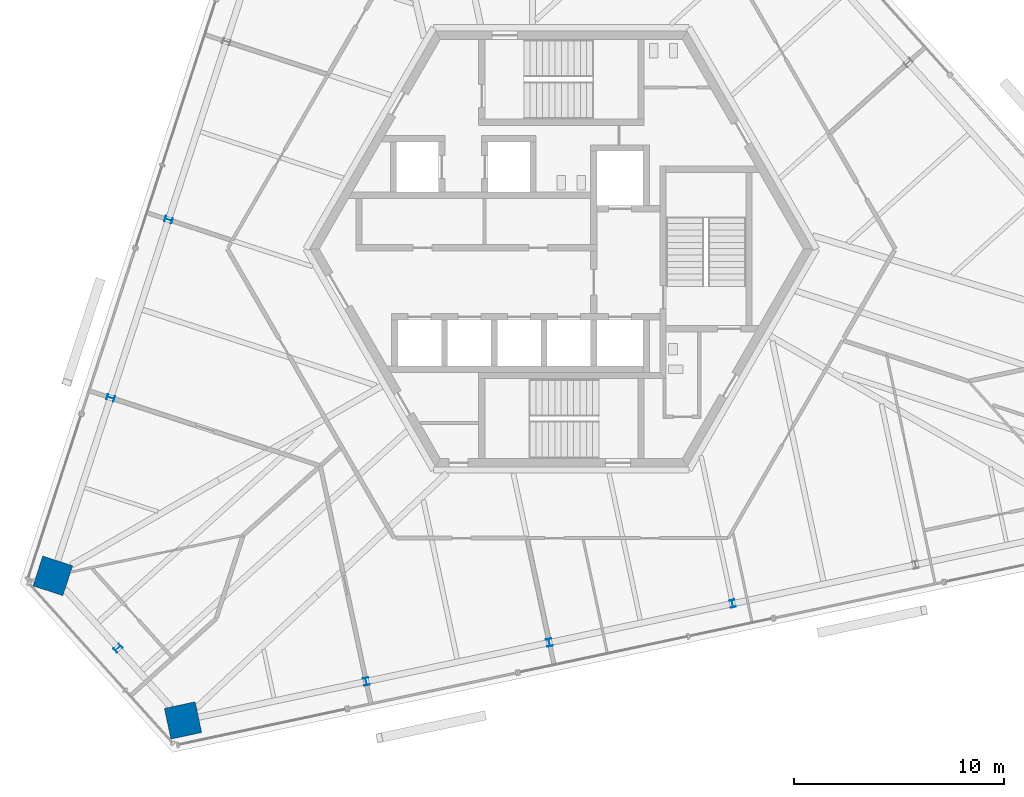
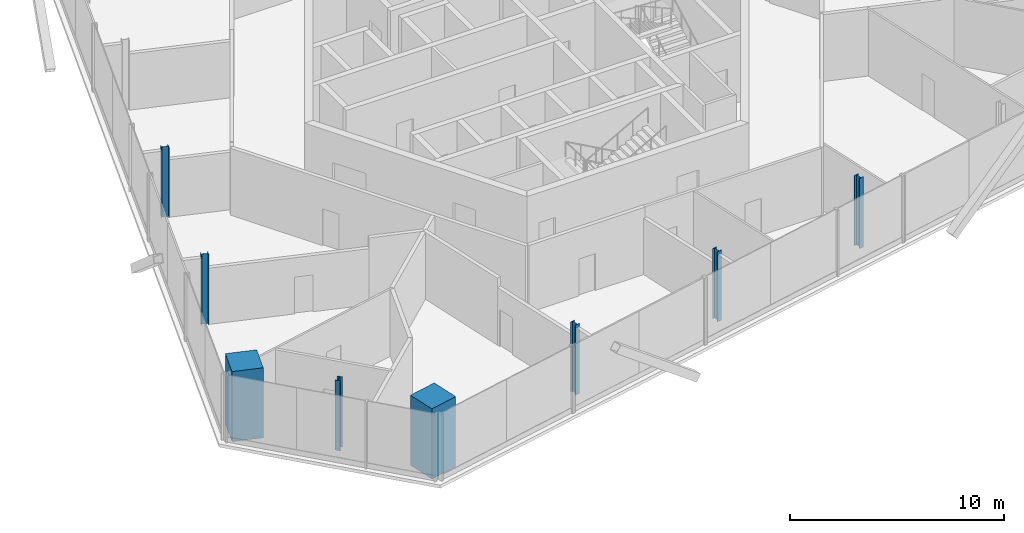
# One storey, part 1 of 14: 8 columns.
"""IFC4 building model written with IfcOpenShell, lengths in metres."""

import ifcopenshell
import ifcopenshell.guid

model = None  # the IFC model being written
_history = None  # IfcOwnerHistory: only IFC2X3 demands one
_inside = {}  # id of a spatial element -> (the spatial element, [elements in it])
_under = {}  # id of a project, library or spatial element -> (it, [spatial elements below it])
_declared = {}  # id of a project -> (the project, [libraries it declares])
_typed = {}  # id of a type object -> (the type object, [elements of that type])
_made_of = {}  # id of a material, layer set ... -> (it, [elements and type objects made of it])


def new_model(schema):
    """Start an empty IFC model of exactly this schema.

    Asked for "IFC4X3", IfcOpenShell would pick the latest addendum, in which some entities
    have other attributes; the version numbers below select the first issue.
    IFC2X3 requires an IfcOwnerHistory on every rooted entity: one is made here for all.
    """
    global model, _history
    if schema == "IFC4X3":
        model = ifcopenshell.file(schema_version=(4, 3, 0, 0))
    else:
        model = ifcopenshell.file(schema=schema)
    _inside.clear()
    _under.clear()
    _declared.clear()
    _typed.clear()
    _made_of.clear()
    _history = None
    if model.schema == "IFC2X3":
        org = make("IfcOrganization", Name="unknown")
        user = make(
            "IfcPersonAndOrganization",
            ThePerson=make("IfcPerson", FamilyName="unknown"),
            TheOrganization=org,
        )
        app = make(
            "IfcApplication",
            ApplicationDeveloper=org,
            Version="unknown",
            ApplicationFullName="unknown",
            ApplicationIdentifier="unknown",
        )
        _history = make(
            "IfcOwnerHistory",
            OwningUser=user,
            OwningApplication=app,
            ChangeAction="ADDED",
            CreationDate=0,
        )
    return model


def make(cls, **values):
    """One entity of the class cls with the attributes given. An attribute that is None is left unset."""
    return model.create_entity(
        cls, **{name: value for name, value in values.items() if value is not None}
    )


def rooted(cls, **values):
    """An entity with a GlobalId (a new one), such as an element, a storey or a relation."""
    return make(cls, GlobalId=ifcopenshell.guid.new(), OwnerHistory=_history, **values)


def si_unit(unit_type, name, prefix=None):
    """IfcSIUnit, for example si_unit("LENGTHUNIT", "METRE", prefix="MILLI")."""
    return make("IfcSIUnit", UnitType=unit_type, Prefix=prefix, Name=name)


def assignment(units):
    """IfcUnitAssignment: the units of a project."""
    return None if units is None else make("IfcUnitAssignment", Units=units)


def point(xyz):
    """IfcCartesianPoint."""
    return None if xyz is None else make("IfcCartesianPoint", Coordinates=xyz)


def direction(xyz):
    """IfcDirection."""
    return None if xyz is None else make("IfcDirection", DirectionRatios=xyz)


def frame(location, z_axis=None, x_axis=None):
    """IfcAxis2Placement3D, a coordinate frame: its origin and axes. An axis left out is left unset."""
    return make(
        "IfcAxis2Placement3D",
        Location=point(location),
        Axis=direction(z_axis),
        RefDirection=direction(x_axis),
    )


def frame_2d(location, x_axis=None):
    """IfcAxis2Placement2D, a coordinate frame in the plane: its origin and x axis."""
    return make(
        "IfcAxis2Placement2D", Location=point(location), RefDirection=direction(x_axis)
    )


def origin():
    """The frame at (0, 0, 0) with its axes left unset."""
    return frame((0.0, 0.0, 0.0))


def origin_2d():
    """The frame at (0, 0) in the plane with its x axis left unset."""
    return frame_2d((0.0, 0.0))


def place(relative_to, where):
    """IfcLocalPlacement: puts the frame where relative to a parent placement (None: the world)."""
    return make(
        "IfcLocalPlacement", PlacementRelTo=relative_to, RelativePlacement=where
    )


def context(
    kind, dimensions, precision=None, world=None, true_north=None, identifier=None
):
    """IfcGeometricRepresentationContext, for example the 3D "Model" context."""
    return make(
        "IfcGeometricRepresentationContext",
        ContextIdentifier=identifier,
        ContextType=kind,
        CoordinateSpaceDimension=dimensions,
        Precision=precision,
        WorldCoordinateSystem=world,
        TrueNorth=true_north,
    )


def subcontext(parent, identifier, kind, view, scale=None):
    """IfcGeometricRepresentationSubContext, for example "Body" below "Model"."""
    return make(
        "IfcGeometricRepresentationSubContext",
        ContextIdentifier=identifier,
        ContextType=kind,
        ParentContext=parent,
        TargetScale=scale,
        TargetView=view,
    )


def project(units=None, contexts=None):
    """IfcProject with its units and contexts."""
    return rooted(
        "IfcProject",
        Name="project",
        RepresentationContexts=contexts,
        UnitsInContext=assignment(units),
    )


def spatial(cls, under=None, at=None, **own):
    """A site, building, storey or space (cls), placed at a placement, below another one or the project."""
    s = rooted(cls, ObjectPlacement=at, **own)
    if under is not None:
        _under.setdefault(under.id(), (under, []))[1].append(s)
    return s


def profile(cls, at=None, kind="AREA", **sizes):
    """A parametric profile (cls). Its sizes go by their IFC names, for example OverallWidth=200.0."""
    return make(cls, ProfileType=kind, Position=at, **sizes)


def rectangle(**sizes):
    """IfcRectangleProfileDef."""
    return profile("IfcRectangleProfileDef", **sizes)


def i_section(**sizes):
    """IfcIShapeProfileDef."""
    return profile("IfcIShapeProfileDef", **sizes)


def extrude(swept, where, along, depth):
    """IfcExtrudedAreaSolid: the profile swept, set in the frame where, extruded along a direction by depth."""
    return make(
        "IfcExtrudedAreaSolid",
        SweptArea=swept,
        Position=where,
        ExtrudedDirection=direction(along),
        Depth=depth,
    )


def shape(context_of_items, identifier, shape_type, items):
    """IfcShapeRepresentation: the items that make up one representation, for example the "Body"."""
    return make(
        "IfcShapeRepresentation",
        ContextOfItems=context_of_items,
        RepresentationIdentifier=identifier,
        RepresentationType=shape_type,
        Items=items,
    )


def source(mapping_origin, context_of_items, identifier, shape_type, items):
    """IfcRepresentationMap: a shape defined once, which mapped items show again and again."""
    return make(
        "IfcRepresentationMap",
        MappingOrigin=mapping_origin,
        MappedRepresentation=shape(context_of_items, identifier, shape_type, items),
    )


def transform(
    local_origin,
    x_axis=None,
    y_axis=None,
    z_axis=None,
    scale=None,
    scale2=None,
    scale3=None,
    uniform=True,
):
    """IfcCartesianTransformationOperator3D, or its non-uniform kind. x_axis, y_axis, z_axis: its Axis1, 2, 3."""
    if uniform:
        return make(
            "IfcCartesianTransformationOperator3D",
            Axis1=direction(x_axis),
            Axis2=direction(y_axis),
            LocalOrigin=point(local_origin),
            Scale=scale,
            Axis3=direction(z_axis),
        )
    return make(
        "IfcCartesianTransformationOperator3DnonUniform",
        Axis1=direction(x_axis),
        Axis2=direction(y_axis),
        LocalOrigin=point(local_origin),
        Scale=scale,
        Axis3=direction(z_axis),
        Scale2=scale2,
        Scale3=scale3,
    )


def mapped(mapping_source, mapping_target):
    """IfcMappedItem: shows the shape of a source again, moved by a transform."""
    return make(
        "IfcMappedItem", MappingSource=mapping_source, MappingTarget=mapping_target
    )


def material(Name=None, Category=None):
    """IfcMaterial."""
    return make("IfcMaterial", Name=Name, Category=Category)


def material_profile(
    of_material, cross_section, Name=None, Category=None, Priority=None
):
    """IfcMaterialProfile: a cross section and its material."""
    return make(
        "IfcMaterialProfile",
        Name=Name,
        Material=of_material,
        Profile=cross_section,
        Priority=Priority,
        Category=Category,
    )


def profile_set(profiles, Name=None, composite=None):
    """IfcMaterialProfileSet."""
    return make(
        "IfcMaterialProfileSet",
        Name=Name,
        MaterialProfiles=profiles,
        CompositeProfile=composite,
    )


def made_of(thing, what):
    """Note that an element or type object is made of a material, layer set ...; save() writes the relation."""
    if what is not None:
        _made_of.setdefault(what.id(), (what, []))[1].append(thing)
    return thing


def type_object(cls, material=None, **own):
    """A type object (cls), such as IfcWallType, which elements share."""
    return made_of(rooted(cls, **own), material)


def element(
    cls,
    number,
    at=None,
    inside=None,
    cuts=None,
    type_object=None,
    material=None,
    context=None,
    identifier="Body",
    shape_type=None,
    held_by="IfcProductDefinitionShape",
    body=None,
    shapes=None,
    **own,
):
    """One element of the class cls, such as IfcWall. Its Tag is "e" and its number.

    at: its placement. inside: the storey or other place that contains it. cuts: it is an
    opening in that element (IfcRelVoidsElement). A single representation is given by context,
    identifier, shape_type and body (its items); several are given by shapes. held_by: the class
    of the entity that holds the representations. save() writes the other relations.
    """
    e = rooted(cls, Tag="e%d" % number, ObjectPlacement=at, **own)
    if body is not None:
        shapes = [shape(context, identifier, shape_type, body)]
    if shapes is not None:
        e.Representation = make(held_by, Representations=shapes)
    if inside is not None:
        _inside.setdefault(inside.id(), (inside, []))[1].append(e)
    if cuts is not None:
        rooted(
            "IfcRelVoidsElement", RelatingBuildingElement=cuts, RelatedOpeningElement=e
        )
    if type_object is not None:
        _typed.setdefault(type_object.id(), (type_object, []))[1].append(e)
    return made_of(e, material)


def aggregate(whole, parts):
    """IfcRelAggregates: a whole, such as a stair, and the parts it consists of."""
    return rooted("IfcRelAggregates", RelatingObject=whole, RelatedObjects=parts)


def save(model, path):
    """Write the relations noted so far, then the file.

    IfcRelAggregates (storeys below a building ...), IfcRelContainedInSpatialStructure (elements
    in a storey), IfcRelDefinesByType, IfcRelAssociatesMaterial and IfcRelDeclares: one each for
    every whole, place, type object, material and project.
    """
    for whole, parts in _under.values():
        aggregate(whole, parts)
    for where, things in _inside.values():
        rooted(
            "IfcRelContainedInSpatialStructure",
            RelatedElements=things,
            RelatingStructure=where,
        )
    for kind, things in _typed.values():
        rooted("IfcRelDefinesByType", RelatedObjects=things, RelatingType=kind)
    for what, things in _made_of.values():
        rooted("IfcRelAssociatesMaterial", RelatedObjects=things, RelatingMaterial=what)
    for by, libraries in _declared.values():
        rooted("IfcRelDeclares", RelatingContext=by, RelatedDefinitions=libraries)
    model.write(path)


model = new_model("IFC4")

# Units and contexts
model_context = context("Model", 3, precision=1e-05, world=origin(), true_north=direction((0.0, 1.0)))
body_context = subcontext(model_context, "Body", "Model", "MODEL_VIEW")
ifc_project = project(units=[si_unit("LENGTHUNIT", "METRE"), si_unit("AREAUNIT", "SQUARE_METRE"), si_unit("VOLUMEUNIT", "CUBIC_METRE"), si_unit("PLANEANGLEUNIT", "RADIAN"), si_unit("MASSUNIT", "GRAM", prefix="KILO")], contexts=[model_context])

# Site, building, storey
site_placement = place(None, origin())
site = spatial("IfcSite", under=ifc_project, at=site_placement, CompositionType="ELEMENT")
building_placement = place(site_placement, origin())
building = spatial("IfcBuilding", under=site, at=building_placement, Name="Triune Harvest Tower", CompositionType="ELEMENT")
storey_placement = place(building_placement, frame((0.0, 0.0, 284.699951171875)))
storey = spatial("IfcBuildingStorey", under=building, at=storey_placement, Name="L75", CompositionType="ELEMENT", Elevation=284.699951171875)

# Columns
ifc_material_1 = material(Name="Concrete 70 MPa", Category="concrete")
ifc_material_profile_1 = material_profile(ifc_material_1, rectangle(XDim=1.5, YDim=1.5, at=origin_2d()), Name="Composite 1500x1500")
ifc_profile_set_1 = profile_set([ifc_material_profile_1], Name="Concrete 70 MPa")
column_type_1 = type_object("IfcColumnType", Name="MC-7 Mega column Composite 1500x1500", PredefinedType="COLUMN", material=ifc_profile_set_1)
shared_shape_1 = source(origin(), body_context, "Body", "SweptSolid", [
    extrude(rectangle(XDim=1.5, YDim=1.5, at=origin_2d()), origin(), (0.0, 0.0, 1.0), 4.0),
])
for number, where, z_axis, x_axis, name in (
    (1, (-24.24853515625, -15.58984375, 0.0), (0.0, 0.0, 1.0), (-0.309015334468, -0.95105705563, 0.0), "col/L75/M12"),
    (2, (-18.0390625, -22.486083984375, 0.0), (0.0, 0.0, 1.0), (0.978147237858, 0.207913398007, 0.0), "col/L75/M14"),
):
    element("IfcColumn", number, at=place(storey_placement, frame(where, z_axis=z_axis, x_axis=x_axis)), inside=storey, type_object=column_type_1, Name=name, PredefinedType="COLUMN", context=body_context, shape_type="MappedRepresentation", body=[
        mapped(shared_shape_1, transform((0.0, 0.0, 0.0), scale=1.0)),
    ])
ifc_material_2 = material(Name="Steel ASTM A992 Gr 50", Category="steel")
ifc_material_profile_2 = material_profile(ifc_material_2, i_section(OverallWidth=0.256591796875, OverallDepth=0.360595703125, WebThickness=0.011474609375, FlangeThickness=0.02001953125, at=origin_2d()), Name="W14x74")
ifc_profile_set_2 = profile_set([ifc_material_profile_2], Name="Steel ASTM A992 Gr 50")
column_type_2 = type_object("IfcColumnType", Name="PC-7 Perimeter column W14x74", PredefinedType="COLUMN", material=ifc_profile_set_2)
shared_shape_2 = source(origin(), body_context, "Body", "SweptSolid", [
    extrude(i_section(OverallWidth=0.256591796875, OverallDepth=0.360595703125, WebThickness=0.011474609375, FlangeThickness=0.02001953125, at=origin_2d()), origin(), (0.0, 0.0, 1.0), 4.0),
])
for number, where, z_axis, x_axis, name in (
    (3, (-18.730712890625, 1.392333984375, 0.0), (0.0, 0.0, 1.0), (-0.309015334468, -0.95105705563, 0.0), "col/L75/P10"),
    (4, (-21.48974609375, -7.098876953125, 0.0), (0.0, 0.0, 1.0), (-0.309015334468, -0.95105705563, 0.0), "col/L75/P11"),
    (5, (-21.143798828125, -19.0380859375, 0.0), (0.0, 0.0, 1.0), (0.669129309325, -0.743145993329, 0.0), "col/L75/P13"),
    (6, (-9.30615234375, -20.6298828125, 0.0), (0.0, 0.0, 1.0), (0.978147237858, 0.207913398007, 0.0), "col/L75/P15"),
    (7, (-0.5732421875, -18.773681640625, 0.0), (0.0, 0.0, 1.0), (0.978147237858, 0.207913398007, 0.0), "col/L75/P16"),
    (8, (8.15966796875, -16.91748046875, 0.0), (0.0, 0.0, 1.0), (0.978147237858, 0.207913398007, 0.0), "col/L75/P17"),
):
    element("IfcColumn", number, at=place(storey_placement, frame(where, z_axis=z_axis, x_axis=x_axis)), inside=storey, type_object=column_type_2, Name=name, PredefinedType="COLUMN", context=body_context, shape_type="MappedRepresentation", body=[
        mapped(shared_shape_2, transform((0.0, 0.0, 0.0), scale=1.0)),
    ])

save(model, "model.ifc")
